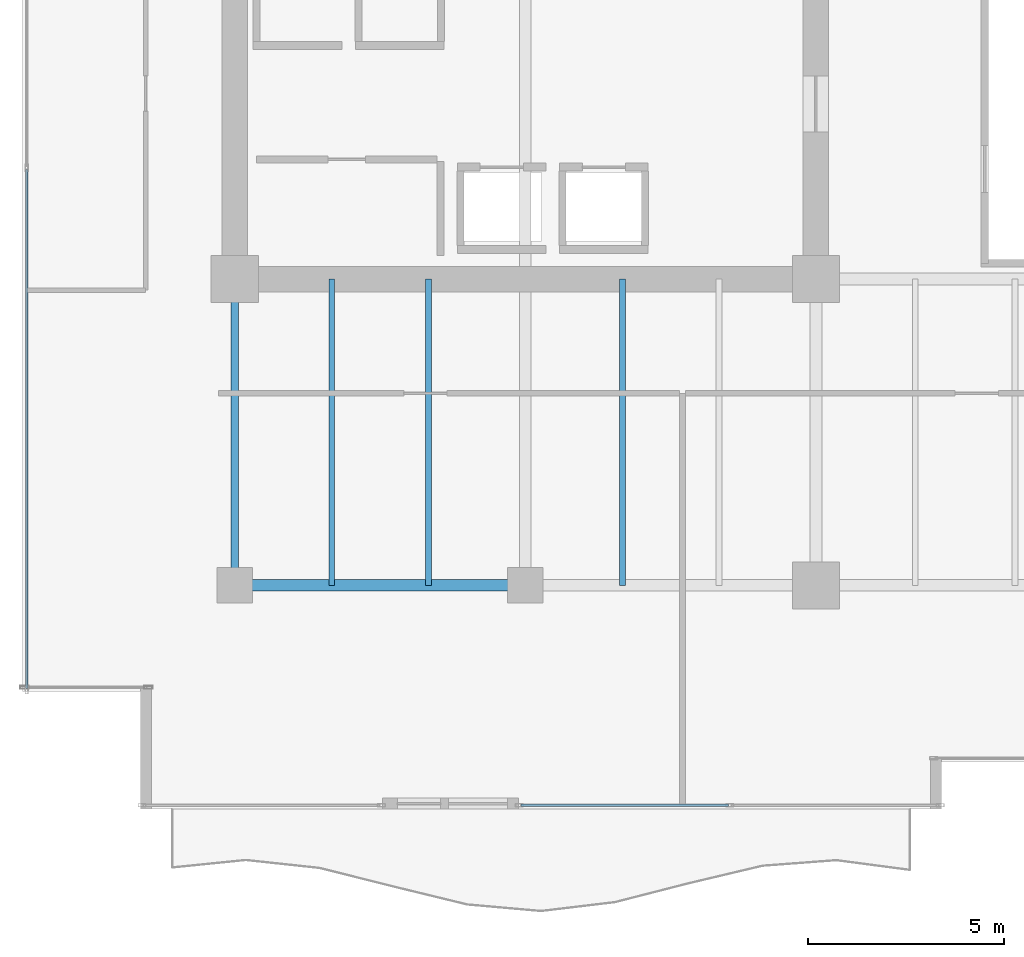
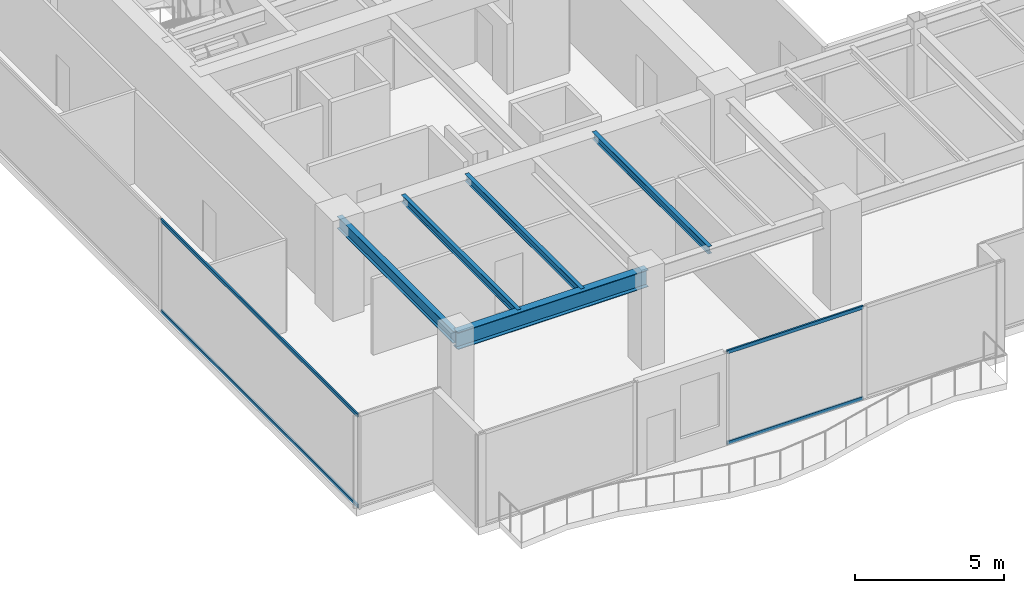
# One storey, part 3 of 30: 5 beams, 4 members, 2 elements without a shape of their own.
"""IFC4 building model written with IfcOpenShell, lengths in metres."""

import ifcopenshell
import ifcopenshell.guid

model = None  # the IFC model being written
_history = None  # IfcOwnerHistory: only IFC2X3 demands one
_inside = {}  # id of a spatial element -> (the spatial element, [elements in it])
_under = {}  # id of a project, library or spatial element -> (it, [spatial elements below it])
_declared = {}  # id of a project -> (the project, [libraries it declares])
_typed = {}  # id of a type object -> (the type object, [elements of that type])
_made_of = {}  # id of a material, layer set ... -> (it, [elements and type objects made of it])


def new_model(schema):
    """Start an empty IFC model of exactly this schema.

    Asked for "IFC4X3", IfcOpenShell would pick the latest addendum, in which some entities
    have other attributes; the version numbers below select the first issue.
    IFC2X3 requires an IfcOwnerHistory on every rooted entity: one is made here for all.
    """
    global model, _history
    if schema == "IFC4X3":
        model = ifcopenshell.file(schema_version=(4, 3, 0, 0))
    else:
        model = ifcopenshell.file(schema=schema)
    _inside.clear()
    _under.clear()
    _declared.clear()
    _typed.clear()
    _made_of.clear()
    _history = None
    if model.schema == "IFC2X3":
        org = make("IfcOrganization", Name="unknown")
        user = make(
            "IfcPersonAndOrganization",
            ThePerson=make("IfcPerson", FamilyName="unknown"),
            TheOrganization=org,
        )
        app = make(
            "IfcApplication",
            ApplicationDeveloper=org,
            Version="unknown",
            ApplicationFullName="unknown",
            ApplicationIdentifier="unknown",
        )
        _history = make(
            "IfcOwnerHistory",
            OwningUser=user,
            OwningApplication=app,
            ChangeAction="ADDED",
            CreationDate=0,
        )
    return model


def make(cls, **values):
    """One entity of the class cls with the attributes given. An attribute that is None is left unset."""
    return model.create_entity(
        cls, **{name: value for name, value in values.items() if value is not None}
    )


def rooted(cls, **values):
    """An entity with a GlobalId (a new one), such as an element, a storey or a relation."""
    return make(cls, GlobalId=ifcopenshell.guid.new(), OwnerHistory=_history, **values)


def si_unit(unit_type, name, prefix=None):
    """IfcSIUnit, for example si_unit("LENGTHUNIT", "METRE", prefix="MILLI")."""
    return make("IfcSIUnit", UnitType=unit_type, Prefix=prefix, Name=name)


def assignment(units):
    """IfcUnitAssignment: the units of a project."""
    return None if units is None else make("IfcUnitAssignment", Units=units)


def point(xyz):
    """IfcCartesianPoint."""
    return None if xyz is None else make("IfcCartesianPoint", Coordinates=xyz)


def direction(xyz):
    """IfcDirection."""
    return None if xyz is None else make("IfcDirection", DirectionRatios=xyz)


def frame(location, z_axis=None, x_axis=None):
    """IfcAxis2Placement3D, a coordinate frame: its origin and axes. An axis left out is left unset."""
    return make(
        "IfcAxis2Placement3D",
        Location=point(location),
        Axis=direction(z_axis),
        RefDirection=direction(x_axis),
    )


def frame_2d(location, x_axis=None):
    """IfcAxis2Placement2D, a coordinate frame in the plane: its origin and x axis."""
    return make(
        "IfcAxis2Placement2D", Location=point(location), RefDirection=direction(x_axis)
    )


def origin():
    """The frame at (0, 0, 0) with its axes left unset."""
    return frame((0.0, 0.0, 0.0))


def origin_2d():
    """The frame at (0, 0) in the plane with its x axis left unset."""
    return frame_2d((0.0, 0.0))


def place(relative_to, where):
    """IfcLocalPlacement: puts the frame where relative to a parent placement (None: the world)."""
    return make(
        "IfcLocalPlacement", PlacementRelTo=relative_to, RelativePlacement=where
    )


def context(
    kind, dimensions, precision=None, world=None, true_north=None, identifier=None
):
    """IfcGeometricRepresentationContext, for example the 3D "Model" context."""
    return make(
        "IfcGeometricRepresentationContext",
        ContextIdentifier=identifier,
        ContextType=kind,
        CoordinateSpaceDimension=dimensions,
        Precision=precision,
        WorldCoordinateSystem=world,
        TrueNorth=true_north,
    )


def subcontext(parent, identifier, kind, view, scale=None):
    """IfcGeometricRepresentationSubContext, for example "Body" below "Model"."""
    return make(
        "IfcGeometricRepresentationSubContext",
        ContextIdentifier=identifier,
        ContextType=kind,
        ParentContext=parent,
        TargetScale=scale,
        TargetView=view,
    )


def project(units=None, contexts=None):
    """IfcProject with its units and contexts."""
    return rooted(
        "IfcProject",
        Name="project",
        RepresentationContexts=contexts,
        UnitsInContext=assignment(units),
    )


def spatial(cls, under=None, at=None, **own):
    """A site, building, storey or space (cls), placed at a placement, below another one or the project."""
    s = rooted(cls, ObjectPlacement=at, **own)
    if under is not None:
        _under.setdefault(under.id(), (under, []))[1].append(s)
    return s


def profile(cls, at=None, kind="AREA", **sizes):
    """A parametric profile (cls). Its sizes go by their IFC names, for example OverallWidth=200.0."""
    return make(cls, ProfileType=kind, Position=at, **sizes)


def hollow_rectangle(**sizes):
    """IfcRectangleHollowProfileDef."""
    return profile("IfcRectangleHollowProfileDef", **sizes)


def i_section(**sizes):
    """IfcIShapeProfileDef."""
    return profile("IfcIShapeProfileDef", **sizes)


def extrude(swept, where, along, depth):
    """IfcExtrudedAreaSolid: the profile swept, set in the frame where, extruded along a direction by depth."""
    return make(
        "IfcExtrudedAreaSolid",
        SweptArea=swept,
        Position=where,
        ExtrudedDirection=direction(along),
        Depth=depth,
    )


def shape(context_of_items, identifier, shape_type, items):
    """IfcShapeRepresentation: the items that make up one representation, for example the "Body"."""
    return make(
        "IfcShapeRepresentation",
        ContextOfItems=context_of_items,
        RepresentationIdentifier=identifier,
        RepresentationType=shape_type,
        Items=items,
    )


def source(mapping_origin, context_of_items, identifier, shape_type, items):
    """IfcRepresentationMap: a shape defined once, which mapped items show again and again."""
    return make(
        "IfcRepresentationMap",
        MappingOrigin=mapping_origin,
        MappedRepresentation=shape(context_of_items, identifier, shape_type, items),
    )


def transform(
    local_origin,
    x_axis=None,
    y_axis=None,
    z_axis=None,
    scale=None,
    scale2=None,
    scale3=None,
    uniform=True,
):
    """IfcCartesianTransformationOperator3D, or its non-uniform kind. x_axis, y_axis, z_axis: its Axis1, 2, 3."""
    if uniform:
        return make(
            "IfcCartesianTransformationOperator3D",
            Axis1=direction(x_axis),
            Axis2=direction(y_axis),
            LocalOrigin=point(local_origin),
            Scale=scale,
            Axis3=direction(z_axis),
        )
    return make(
        "IfcCartesianTransformationOperator3DnonUniform",
        Axis1=direction(x_axis),
        Axis2=direction(y_axis),
        LocalOrigin=point(local_origin),
        Scale=scale,
        Axis3=direction(z_axis),
        Scale2=scale2,
        Scale3=scale3,
    )


def mapped(mapping_source, mapping_target):
    """IfcMappedItem: shows the shape of a source again, moved by a transform."""
    return make(
        "IfcMappedItem", MappingSource=mapping_source, MappingTarget=mapping_target
    )


def material(Name=None, Category=None):
    """IfcMaterial."""
    return make("IfcMaterial", Name=Name, Category=Category)


def layer(
    of_material, thickness, ventilated=None, Name=None, Category=None, Priority=None
):
    """IfcMaterialLayer: one layer of a wall or slab, of a material (None: an air gap)."""
    return make(
        "IfcMaterialLayer",
        Material=of_material,
        LayerThickness=thickness,
        IsVentilated=ventilated,
        Name=Name,
        Category=Category,
        Priority=Priority,
    )


def layer_set(layers, Name=None):
    """IfcMaterialLayerSet."""
    return make("IfcMaterialLayerSet", MaterialLayers=layers, LayerSetName=Name)


def material_profile(
    of_material, cross_section, Name=None, Category=None, Priority=None
):
    """IfcMaterialProfile: a cross section and its material."""
    return make(
        "IfcMaterialProfile",
        Name=Name,
        Material=of_material,
        Profile=cross_section,
        Priority=Priority,
        Category=Category,
    )


def profile_set(profiles, Name=None, composite=None):
    """IfcMaterialProfileSet."""
    return make(
        "IfcMaterialProfileSet",
        Name=Name,
        MaterialProfiles=profiles,
        CompositeProfile=composite,
    )


def made_of(thing, what):
    """Note that an element or type object is made of a material, layer set ...; save() writes the relation."""
    if what is not None:
        _made_of.setdefault(what.id(), (what, []))[1].append(thing)
    return thing


def type_object(cls, material=None, **own):
    """A type object (cls), such as IfcWallType, which elements share."""
    return made_of(rooted(cls, **own), material)


def type_shapes(of_type, sources):
    """Give a type object the sources (RepresentationMaps) that its elements show as mapped items."""
    of_type.RepresentationMaps = sources


def element(
    cls,
    number,
    at=None,
    inside=None,
    cuts=None,
    type_object=None,
    material=None,
    context=None,
    identifier="Body",
    shape_type=None,
    held_by="IfcProductDefinitionShape",
    body=None,
    shapes=None,
    **own,
):
    """One element of the class cls, such as IfcWall. Its Tag is "e" and its number.

    at: its placement. inside: the storey or other place that contains it. cuts: it is an
    opening in that element (IfcRelVoidsElement). A single representation is given by context,
    identifier, shape_type and body (its items); several are given by shapes. held_by: the class
    of the entity that holds the representations. save() writes the other relations.
    """
    e = rooted(cls, Tag="e%d" % number, ObjectPlacement=at, **own)
    if body is not None:
        shapes = [shape(context, identifier, shape_type, body)]
    if shapes is not None:
        e.Representation = make(held_by, Representations=shapes)
    if inside is not None:
        _inside.setdefault(inside.id(), (inside, []))[1].append(e)
    if cuts is not None:
        rooted(
            "IfcRelVoidsElement", RelatingBuildingElement=cuts, RelatedOpeningElement=e
        )
    if type_object is not None:
        _typed.setdefault(type_object.id(), (type_object, []))[1].append(e)
    return made_of(e, material)


def aggregate(whole, parts):
    """IfcRelAggregates: a whole, such as a stair, and the parts it consists of."""
    return rooted("IfcRelAggregates", RelatingObject=whole, RelatedObjects=parts)


def save(model, path):
    """Write the relations noted so far, then the file.

    IfcRelAggregates (storeys below a building ...), IfcRelContainedInSpatialStructure (elements
    in a storey), IfcRelDefinesByType, IfcRelAssociatesMaterial and IfcRelDeclares: one each for
    every whole, place, type object, material and project.
    """
    for whole, parts in _under.values():
        aggregate(whole, parts)
    for where, things in _inside.values():
        rooted(
            "IfcRelContainedInSpatialStructure",
            RelatedElements=things,
            RelatingStructure=where,
        )
    for kind, things in _typed.values():
        rooted("IfcRelDefinesByType", RelatedObjects=things, RelatingType=kind)
    for what, things in _made_of.values():
        rooted("IfcRelAssociatesMaterial", RelatedObjects=things, RelatingMaterial=what)
    for by, libraries in _declared.values():
        rooted("IfcRelDeclares", RelatingContext=by, RelatedDefinitions=libraries)
    model.write(path)


model = new_model("IFC4")

# Units and contexts
model_context = context("Model", 3, precision=1e-05, world=origin(), true_north=direction((0.0, 1.0)))
body_context = subcontext(model_context, "Body", "Model", "MODEL_VIEW")
ifc_project = project(units=[si_unit("LENGTHUNIT", "METRE"), si_unit("AREAUNIT", "SQUARE_METRE"), si_unit("VOLUMEUNIT", "CUBIC_METRE"), si_unit("PLANEANGLEUNIT", "RADIAN"), si_unit("MASSUNIT", "GRAM", prefix="KILO")], contexts=[model_context])

# Site, building, storey
site_placement = place(None, origin())
site = spatial("IfcSite", under=ifc_project, at=site_placement, CompositionType="ELEMENT")
building_placement = place(site_placement, origin())
building = spatial("IfcBuilding", under=site, at=building_placement, Name="Haelvirn Gate Laboratories", CompositionType="ELEMENT")
storey_placement = place(building_placement, frame((0.0, 0.0, 146.10009765625)))
storey = spatial("IfcBuildingStorey", under=building, at=storey_placement, Name="L35", CompositionType="ELEMENT", Elevation=146.10009765625)

# Beams
ifc_material_1 = material(Name="Steel SM355", Category="steel")
ifc_material_profile_1 = material_profile(ifc_material_1, i_section(OverallWidth=0.199951171875, OverallDepth=0.5, WebThickness=0.010009765625, FlangeThickness=0.01611328125, at=origin_2d()), Name="H-500x200x10x16")
ifc_profile_set_1 = profile_set([ifc_material_profile_1], Name="Steel SM355")
beam_type_1 = type_object("IfcBeamType", Name="BM-SP-500", PredefinedType="SPANDREL", material=ifc_profile_set_1)
shared_shape_1 = source(origin(), body_context, "Body", "SweptSolid", [
    extrude(i_section(OverallWidth=0.199951171875, OverallDepth=0.5, WebThickness=0.010009765625, FlangeThickness=0.01611328125, at=origin_2d()), origin(), (0.0, 0.0, 1.0), 7.800048828125),
])
type_shapes(beam_type_1, [shared_shape_1])
beam_1_placement = place(storey_placement, frame((7.39990234375, 7.0, 3.539794921875), z_axis=(0.0, 1.0, 0.0), x_axis=(-1.0, 0.0, 0.0)))
element("IfcBeam", 1, at=beam_1_placement, inside=storey, type_object=beam_type_1, Name="L35 Perimeter Spandrel X7.4 (7.0-14.8)", PredefinedType="SPANDREL", context=body_context, shape_type="MappedRepresentation", body=[
    mapped(shared_shape_1, transform((0.0, 0.0, 0.0), scale=1.0)),
])
ifc_material_profile_2 = material_profile(ifc_material_1, i_section(OverallWidth=0.300048828125, OverallDepth=0.699951171875, WebThickness=0.012939453125, FlangeThickness=0.02392578125, at=origin_2d()), Name="H-700x300x13x24")
ifc_profile_set_2 = profile_set([ifc_material_profile_2], Name="Steel SM355")
beam_type_2 = type_object("IfcBeamType", Name="BM-G-700", PredefinedType="BEAM", material=ifc_profile_set_2)
shared_shape_2 = source(origin(), body_context, "Body", "SweptSolid", [
    extrude(i_section(OverallWidth=0.300048828125, OverallDepth=0.699951171875, WebThickness=0.012939453125, FlangeThickness=0.02392578125, at=origin_2d()), origin(), (0.0, 0.0, 1.0), 7.400146484375),
])
type_shapes(beam_type_2, [shared_shape_2])
beam_2_placement = place(storey_placement, frame((7.39990234375, 7.0, 3.43994140625), z_axis=(1.0, 0.0, 0.0), x_axis=(0.0, 1.0, 0.0)))
element("IfcBeam", 2, at=beam_2_placement, inside=storey, type_object=beam_type_2, Name="L35 Primary Girder Y7.0 (7.4-14.8)", PredefinedType="BEAM", context=body_context, shape_type="MappedRepresentation", body=[
    mapped(shared_shape_2, transform((0.0, 0.0, 0.0), scale=1.0)),
])
ifc_material_profile_3 = material_profile(ifc_material_1, i_section(OverallWidth=0.14990234375, OverallDepth=0.300048828125, WebThickness=0.006591796875, FlangeThickness=0.009033203125, at=origin_2d()), Name="H-300x150x6.5x9")
ifc_profile_set_3 = profile_set([ifc_material_profile_3], Name="Steel SM355")
beam_type_3 = type_object("IfcBeamType", Name="BM-J-300", PredefinedType="JOIST", material=ifc_profile_set_3)
shared_shape_3 = source(origin(), body_context, "Body", "SweptSolid", [
    extrude(i_section(OverallWidth=0.14990234375, OverallDepth=0.300048828125, WebThickness=0.006591796875, FlangeThickness=0.009033203125, at=origin_2d()), origin(), (0.0, 0.0, 1.0), 7.800048828125),
])
type_shapes(beam_type_3, [shared_shape_3])
for number, where, z_axis, x_axis, name in (
    (3, (9.8701171875, 7.0, 3.639892578125), (0.0, 1.0, 0.0), (-1.0, 0.0, 0.0), "L35 Composite Lab Joist South X9.87"),
    (4, (12.330078125, 7.0, 3.639892578125), (0.0, 1.0, 0.0), (-1.0, 0.0, 0.0), "L35 Composite Lab Joist South X12.33"),
    (5, (17.27001953125, 7.0, 3.639892578125), (0.0, 1.0, 0.0), (-1.0, 0.0, 0.0), "L35 Composite Lab Joist South X17.27"),
):
    element("IfcBeam", number, at=place(storey_placement, frame(where, z_axis=z_axis, x_axis=x_axis)), inside=storey, type_object=beam_type_3, Name=name, PredefinedType="JOIST", context=body_context, shape_type="MappedRepresentation", body=[
        mapped(shared_shape_3, transform((0.0, 0.0, 0.0), scale=1.0)),
    ])

# Curtain wall, members
ifc_material_2 = material(Name="Anodised bronze unitised aluminium & triple low-E glass", Category="aluminium")
ifc_layer = layer(ifc_material_2, 0.179931640625, Name="CW-SYS-3")
ifc_layer_set = layer_set([ifc_layer], Name="Anodised bronze unitised aluminium & triple low-E glass")
curtain_wall_type = type_object("IfcCurtainWallType", Name="CW-SYS-3", PredefinedType="NOTDEFINED", material=ifc_layer_set)
curtain_wall_1_placement = place(storey_placement, origin())
curtain_wall_1 = element("IfcCurtainWall", 6, at=curtain_wall_1_placement, inside=storey, type_object=curtain_wall_type, Name="L35 Unitised Curtain Wall CW-L35-P0-E17", PredefinedType="NOTDEFINED")
ifc_material_3 = material(Name="Extruded aluminium 6063-T6 (anodised bronze)", Category="aluminium")
ifc_material_profile_4 = material_profile(ifc_material_3, hollow_rectangle(XDim=0.06494140625, YDim=0.139892578125, WallThickness=0.00390625, at=origin_2d()), Name="CWT-140x65x4")
ifc_profile_set_4 = profile_set([ifc_material_profile_4], Name="Extruded aluminium 6063-T6 (anodised bronze)")
member_type = type_object("IfcMemberType", Name="CWT-T140", PredefinedType="USERDEFINED", material=ifc_profile_set_4)
shared_shape_4 = source(origin(), body_context, "Body", "SweptSolid", [
    extrude(hollow_rectangle(XDim=0.06494140625, YDim=0.139892578125, WallThickness=0.00390625, at=origin_2d()), origin(), (0.0, 0.0, 1.0), 13.220947265625),
])
member_1_placement = place(storey_placement, frame((2.10009765625, 17.595947265625, 0.032470703125), z_axis=(0.0, -1.0, 0.0), x_axis=(1.0, 0.0, 0.0)))
member_1 = element("IfcMember", 7, at=member_1_placement, type_object=member_type, Name="CW3 transom 3.1", ObjectType="TRANSOM", PredefinedType="USERDEFINED", context=body_context, shape_type="MappedRepresentation", body=[
    mapped(shared_shape_4, transform((0.0, 0.0, 0.0), scale=1.0)),
])
member_2_placement = place(storey_placement, frame((2.10009765625, 17.595947265625, 3.75732421875), z_axis=(0.0, -1.0, 0.0), x_axis=(1.0, 0.0, 0.0)))
member_2 = element("IfcMember", 8, at=member_2_placement, type_object=member_type, Name="CW3 transom 3.2", ObjectType="TRANSOM", PredefinedType="USERDEFINED", context=body_context, shape_type="MappedRepresentation", body=[
    mapped(shared_shape_4, transform((0.0, 0.0, 0.0), scale=1.0)),
])
aggregate(curtain_wall_1, [member_1, member_2])

curtain_wall_2_placement = place(storey_placement, origin())
curtain_wall_2 = element("IfcCurtainWall", 9, at=curtain_wall_2_placement, inside=storey, type_object=curtain_wall_type, Name="L35 Unitised Curtain Wall CW-L35-P0-E00-2", PredefinedType="NOTDEFINED")
shared_shape_5 = source(origin(), body_context, "Body", "SweptSolid", [
    extrude(hollow_rectangle(XDim=0.06494140625, YDim=0.139892578125, WallThickness=0.00390625, at=origin_2d()), origin(), (0.0, 0.0, 1.0), 5.282470703125),
])
type_shapes(member_type, [shared_shape_4, shared_shape_5])
member_3_placement = place(storey_placement, frame((14.68505859375, 1.39990234375, 0.032470703125), z_axis=(1.0, 0.0, 0.0), x_axis=(0.0, 1.0, 0.0)))
member_3 = element("IfcMember", 10, at=member_3_placement, type_object=member_type, Name="CW3 transom 1.1", ObjectType="TRANSOM", PredefinedType="USERDEFINED", context=body_context, shape_type="MappedRepresentation", body=[
    mapped(shared_shape_5, transform((0.0, 0.0, 0.0), scale=1.0)),
])
member_4_placement = place(storey_placement, frame((14.68505859375, 1.39990234375, 3.75732421875), z_axis=(1.0, 0.0, 0.0), x_axis=(0.0, 1.0, 0.0)))
member_4 = element("IfcMember", 11, at=member_4_placement, type_object=member_type, Name="CW3 transom 1.2", ObjectType="TRANSOM", PredefinedType="USERDEFINED", context=body_context, shape_type="MappedRepresentation", body=[
    mapped(shared_shape_5, transform((0.0, 0.0, 0.0), scale=1.0)),
])
aggregate(curtain_wall_2, [member_3, member_4])

save(model, "model.ifc")
